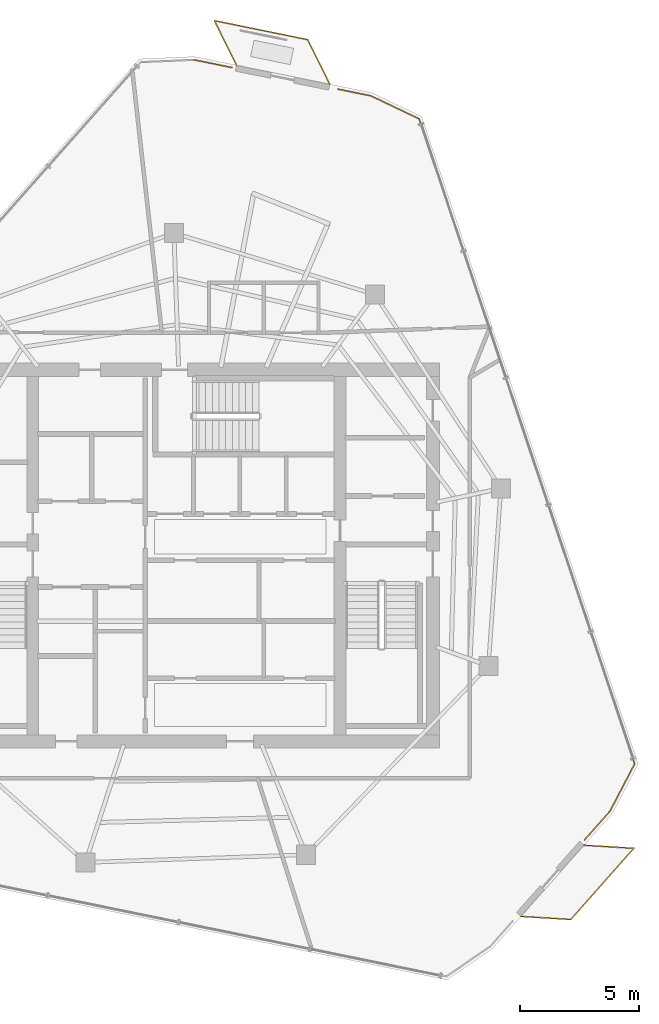
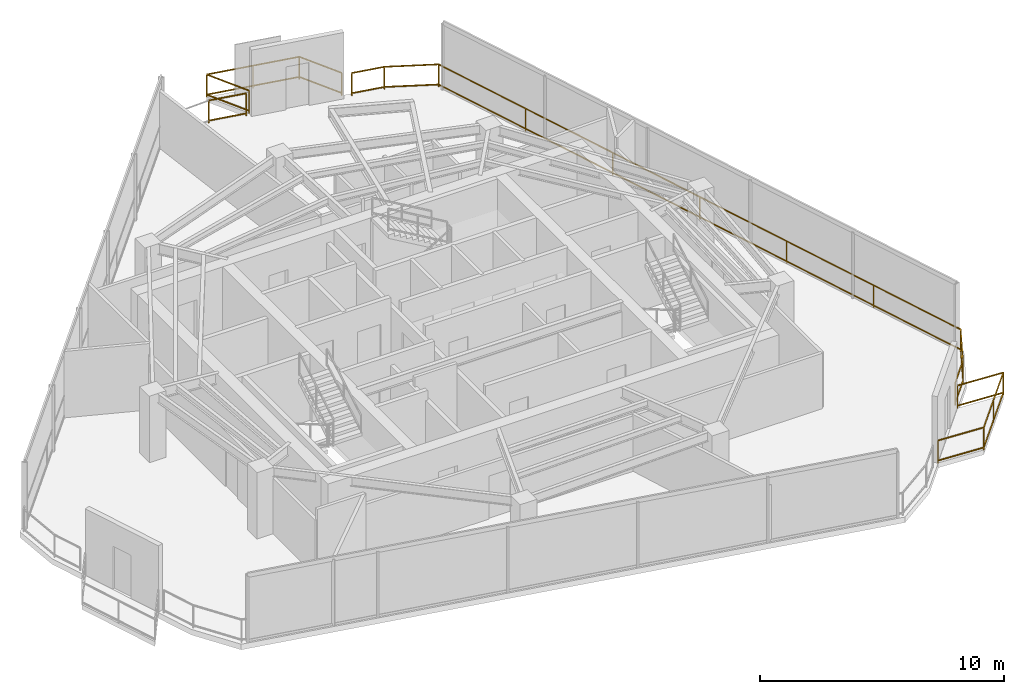
# One storey, part 18 of 18: 4 railings.
"""IFC4 building model written with IfcOpenShell, lengths in metres."""

from ifc_helpers import new_model, si_unit, direction, frame, origin, origin_2d, place, context, subcontext, project, spatial, rectangle, extrude, material, type_object, element, save


model = new_model("IFC4")

# Units and contexts
model_context = context("Model", 3, precision=1e-05, world=origin(), true_north=direction((0.0, 1.0)))
body_context = subcontext(model_context, "Body", "Model", "MODEL_VIEW")
ifc_project = project(units=[si_unit("LENGTHUNIT", "METRE"), si_unit("AREAUNIT", "SQUARE_METRE"), si_unit("VOLUMEUNIT", "CUBIC_METRE"), si_unit("PLANEANGLEUNIT", "RADIAN"), si_unit("MASSUNIT", "GRAM", prefix="KILO")], contexts=[model_context])

# Site, building, storey
site_placement = place(None, origin())
site = spatial("IfcSite", under=ifc_project, at=site_placement, CompositionType="ELEMENT")
building_placement = place(site_placement, origin())
building = spatial("IfcBuilding", under=site, at=building_placement, Name="Qarnah Convention Tower", CompositionType="ELEMENT")
storey_placement = place(building_placement, frame((0.0, 0.0, 249.89990234375)))
storey = spatial("IfcBuildingStorey", under=building, at=storey_placement, Name="L67", CompositionType="ELEMENT", Elevation=249.89990234375)

# Railings
ifc_material = material(Name="Black anodised aluminium", Category="aluminium")
railing_type = type_object("IfcRailingType", Name="RL-EXT-GUARD-1150", PredefinedType="GUARDRAIL", material=ifc_material)
railing_1_placement = place(storey_placement, frame((37.572998046875, 47.214111328125, 0.0)))
element("IfcRailing", 1, at=railing_1_placement, inside=storey, type_object=railing_type, Name="L67 slab-edge perimeter safety guard 01", PredefinedType="GUARDRAIL", context=body_context, shape_type="SweptSolid", body=[
    extrude(rectangle(XDim=0.048095703125, YDim=0.048095703125, at=origin_2d()), frame((0.0, 0.0, 1.1259765625), z_axis=(0.979860144989, -0.199684992579, 0.0), x_axis=(0.199684992579, 0.979860144989, 0.0)), (0.0, 0.0, 1.0), 1.617431640625),
    extrude(rectangle(XDim=0.048095703125, YDim=0.048095703125, at=origin_2d()), frame((0.0, 0.0, 0.1201171875), z_axis=(0.979860144989, -0.199684992579, 0.0), x_axis=(0.199684992579, 0.979860144989, 0.0)), (0.0, 0.0, 1.0), 1.617431640625),
    extrude(rectangle(XDim=0.0419921875, YDim=0.0419921875, at=origin_2d()), origin(), (0.0, 0.0, 1.0), 1.101806640625),
    extrude(rectangle(XDim=0.0419921875, YDim=0.0419921875, at=origin_2d()), frame((1.5849609375, -0.322998046875, 0.0)), (0.0, 0.0, 1.0), 1.101806640625),
])
railing_2_placement = place(storey_placement, frame((43.625, 45.98095703125, 0.0)))
element("IfcRailing", 2, at=railing_2_placement, inside=storey, type_object=railing_type, Name="L67 slab-edge perimeter safety guard 02", PredefinedType="GUARDRAIL", context=body_context, shape_type="SweptSolid", body=[
    extrude(rectangle(XDim=0.048095703125, YDim=0.048095703125, at=origin_2d()), frame((0.0, 0.0, 1.1259765625), z_axis=(0.979832508863, -0.199820555936, 0.0), x_axis=(0.199820555936, 0.979832508863, 0.0)), (0.0, 0.0, 1.0), 1.40625),
    extrude(rectangle(XDim=0.048095703125, YDim=0.048095703125, at=origin_2d()), frame((0.0, 0.0, 0.1201171875), z_axis=(0.979832508863, -0.199820555936, 0.0), x_axis=(0.199820555936, 0.979832508863, 0.0)), (0.0, 0.0, 1.0), 1.40625),
    extrude(rectangle(XDim=0.048095703125, YDim=0.048095703125, at=origin_2d()), frame((1.3779296875, -0.281005859375, 1.1259765625), z_axis=(0.902448225173, -0.430798329712, 0.0), x_axis=(0.430798329712, 0.902448225173, 0.0)), (0.0, 0.0, 1.0), 2.235107421875),
    extrude(rectangle(XDim=0.048095703125, YDim=0.048095703125, at=origin_2d()), frame((1.3779296875, -0.281005859375, 0.1201171875), z_axis=(0.902448225173, -0.430798329712, 0.0), x_axis=(0.430798329712, 0.902448225173, 0.0)), (0.0, 0.0, 1.0), 2.235107421875),
    extrude(rectangle(XDim=0.048095703125, YDim=0.048095703125, at=origin_2d()), frame((3.39501953125, -1.243896484375, 1.1259765625), z_axis=(0.316974002286, -0.948434226436, 0.0), x_axis=(0.948434226436, 0.316974002286, 0.0)), (0.0, 0.0, 1.0), 28.5576171875),
    extrude(rectangle(XDim=0.048095703125, YDim=0.048095703125, at=origin_2d()), frame((3.39501953125, -1.243896484375, 0.1201171875), z_axis=(0.316974002286, -0.948434226436, 0.0), x_axis=(0.948434226436, 0.316974002286, 0.0)), (0.0, 0.0, 1.0), 28.5576171875),
    extrude(rectangle(XDim=0.048095703125, YDim=0.048095703125, at=origin_2d()), frame((12.447021484375, -28.328857421875, 1.1259765625), z_axis=(-0.462136675075, -0.886808713055, 0.0), x_axis=(0.886808713055, -0.462136675075, 0.0)), (0.0, 0.0, 1.0), 2.235107421875),
    extrude(rectangle(XDim=0.048095703125, YDim=0.048095703125, at=origin_2d()), frame((12.447021484375, -28.328857421875, 0.1201171875), z_axis=(-0.462136675075, -0.886808713055, 0.0), x_axis=(0.886808713055, -0.462136675075, 0.0)), (0.0, 0.0, 1.0), 2.235107421875),
    extrude(rectangle(XDim=0.048095703125, YDim=0.048095703125, at=origin_2d()), frame((11.4140625, -30.31103515625, 1.1259765625), z_axis=(-0.663192271261, -0.748449070638, 0.0), x_axis=(0.748449070638, -0.663192271261, 0.0)), (0.0, 0.0, 1.0), 1.617919921875),
    extrude(rectangle(XDim=0.048095703125, YDim=0.048095703125, at=origin_2d()), frame((11.4140625, -30.31103515625, 0.1201171875), z_axis=(-0.663192271261, -0.748449070638, 0.0), x_axis=(0.748449070638, -0.663192271261, 0.0)), (0.0, 0.0, 1.0), 1.617919921875),
    extrude(rectangle(XDim=0.0419921875, YDim=0.0419921875, at=origin_2d()), origin(), (0.0, 0.0, 1.0), 1.101806640625),
    extrude(rectangle(XDim=0.0419921875, YDim=0.0419921875, at=origin_2d()), frame((1.3779296875, -0.281005859375, 0.0)), (0.0, 0.0, 1.0), 1.101806640625),
    extrude(rectangle(XDim=0.0419921875, YDim=0.0419921875, at=origin_2d()), frame((3.39501953125, -1.243896484375, 0.0)), (0.0, 0.0, 1.0), 1.101806640625),
    extrude(rectangle(XDim=0.0419921875, YDim=0.0419921875, at=origin_2d()), frame((4.90380859375, -5.758056640625, 0.0)), (0.0, 0.0, 1.0), 1.101806640625),
    extrude(rectangle(XDim=0.0419921875, YDim=0.0419921875, at=origin_2d()), frame((6.412353515625, -10.272216796875, 0.0)), (0.0, 0.0, 1.0), 1.101806640625),
    extrude(rectangle(XDim=0.0419921875, YDim=0.0419921875, at=origin_2d()), frame((7.9208984375, -14.786376953125, 0.0)), (0.0, 0.0, 1.0), 1.101806640625),
    extrude(rectangle(XDim=0.0419921875, YDim=0.0419921875, at=origin_2d()), frame((9.4296875, -19.300537109375, 0.0)), (0.0, 0.0, 1.0), 1.101806640625),
    extrude(rectangle(XDim=0.0419921875, YDim=0.0419921875, at=origin_2d()), frame((10.9384765625, -23.814697265625, 0.0)), (0.0, 0.0, 1.0), 1.101806640625),
    extrude(rectangle(XDim=0.0419921875, YDim=0.0419921875, at=origin_2d()), frame((12.447021484375, -28.328857421875, 0.0)), (0.0, 0.0, 1.0), 1.101806640625),
    extrude(rectangle(XDim=0.0419921875, YDim=0.0419921875, at=origin_2d()), frame((11.4140625, -30.31103515625, 0.0)), (0.0, 0.0, 1.0), 1.101806640625),
    extrude(rectangle(XDim=0.0419921875, YDim=0.0419921875, at=origin_2d()), frame((10.341064453125, -31.52197265625, 0.0)), (0.0, 0.0, 1.0), 1.101806640625),
])
railing_3_placement = place(storey_placement, frame((39.35498046875, 46.989013671875, 0.0)))
element("IfcRailing", 3, at=railing_3_placement, inside=storey, type_object=railing_type, Name="L67 balcony safety guard BAL-L67-C1", PredefinedType="GUARDRAIL", context=body_context, shape_type="SweptSolid", body=[
    extrude(rectangle(XDim=0.048095703125, YDim=0.048095703125, at=origin_2d()), frame((0.0, 0.0, 1.1259765625), z_axis=(-0.445626782868, 0.895218839386, 0.0), x_axis=(-0.895218839386, -0.445626782868, 0.0)), (0.0, 0.0, 1.0), 2.09326171875),
    extrude(rectangle(XDim=0.048095703125, YDim=0.048095703125, at=origin_2d()), frame((0.0, 0.0, 0.1201171875), z_axis=(-0.445626782868, 0.895218839386, 0.0), x_axis=(-0.895218839386, -0.445626782868, 0.0)), (0.0, 0.0, 1.0), 2.09326171875),
    extrude(rectangle(XDim=0.048095703125, YDim=0.048095703125, at=origin_2d()), frame((-0.932861328125, 1.8740234375, 1.1259765625), z_axis=(0.979838945661, -0.199788990104, 0.0), x_axis=(0.199788990104, 0.979838945661, 0.0)), (0.0, 0.0, 1.0), 3.99951171875),
    extrude(rectangle(XDim=0.048095703125, YDim=0.048095703125, at=origin_2d()), frame((-0.932861328125, 1.8740234375, 0.1201171875), z_axis=(0.979838945661, -0.199788990104, 0.0), x_axis=(0.199788990104, 0.979838945661, 0.0)), (0.0, 0.0, 1.0), 3.99951171875),
    extrude(rectangle(XDim=0.048095703125, YDim=0.048095703125, at=origin_2d()), frame((2.986083984375, 1.074951171875, 1.1259765625), z_axis=(0.446000529439, -0.895032696464, 0.0), x_axis=(0.895032696464, 0.446000529439, 0.0)), (0.0, 0.0, 1.0), 2.09375),
    extrude(rectangle(XDim=0.048095703125, YDim=0.048095703125, at=origin_2d()), frame((2.986083984375, 1.074951171875, 0.1201171875), z_axis=(0.446000529439, -0.895032696464, 0.0), x_axis=(0.895032696464, 0.446000529439, 0.0)), (0.0, 0.0, 1.0), 2.09375),
    extrude(rectangle(XDim=0.0419921875, YDim=0.0419921875, at=origin_2d()), origin(), (0.0, 0.0, 1.0), 1.101806640625),
    extrude(rectangle(XDim=0.0419921875, YDim=0.0419921875, at=origin_2d()), frame((-0.932861328125, 1.8740234375, 0.0)), (0.0, 0.0, 1.0), 1.101806640625),
    extrude(rectangle(XDim=0.0419921875, YDim=0.0419921875, at=origin_2d()), frame((1.026611328125, 1.474609375, 0.0)), (0.0, 0.0, 1.0), 1.101806640625),
    extrude(rectangle(XDim=0.0419921875, YDim=0.0419921875, at=origin_2d()), frame((2.986083984375, 1.074951171875, 0.0)), (0.0, 0.0, 1.0), 1.101806640625),
    extrude(rectangle(XDim=0.0419921875, YDim=0.0419921875, at=origin_2d()), frame((3.919921875, -0.799072265625, 0.0)), (0.0, 0.0, 1.0), 1.101806640625),
])
railing_4_placement = place(storey_placement, frame((53.952880859375, 14.239013671875, 0.0)))
element("IfcRailing", 4, at=railing_4_placement, inside=storey, type_object=railing_type, Name="L67 balcony safety guard BAL-L67-C3", PredefinedType="GUARDRAIL", context=body_context, shape_type="SweptSolid", body=[
    extrude(rectangle(XDim=0.048095703125, YDim=0.048095703125, at=origin_2d()), frame((0.0, 0.0, 1.1259765625), z_axis=(0.998103503569, -0.061558071473, 0.0), x_axis=(0.061558071473, 0.998103503569, 0.0)), (0.0, 0.0, 1.0), 2.093994140625),
    extrude(rectangle(XDim=0.048095703125, YDim=0.048095703125, at=origin_2d()), frame((0.0, 0.0, 0.1201171875), z_axis=(0.998103503569, -0.061558071473, 0.0), x_axis=(0.061558071473, 0.998103503569, 0.0)), (0.0, 0.0, 1.0), 2.093994140625),
    extrude(rectangle(XDim=0.048095703125, YDim=0.048095703125, at=origin_2d()), frame((2.090087890625, -0.12890625, 1.1259765625), z_axis=(-0.663021562738, -0.748600298787, 0.0), x_axis=(0.748600298787, -0.663021562738, 0.0)), (0.0, 0.0, 1.0), 3.999755859375),
    extrude(rectangle(XDim=0.048095703125, YDim=0.048095703125, at=origin_2d()), frame((2.090087890625, -0.12890625, 0.1201171875), z_axis=(-0.663021562738, -0.748600298787, 0.0), x_axis=(0.748600298787, -0.663021562738, 0.0)), (0.0, 0.0, 1.0), 3.999755859375),
    extrude(rectangle(XDim=0.048095703125, YDim=0.048095703125, at=origin_2d()), frame((-0.561767578125, -3.123046875, 1.1259765625), z_axis=(-0.998132049362, 0.061093469672, 0.0), x_axis=(-0.061093469672, -0.998132049362, 0.0)), (0.0, 0.0, 1.0), 2.093994140625),
    extrude(rectangle(XDim=0.048095703125, YDim=0.048095703125, at=origin_2d()), frame((-0.561767578125, -3.123046875, 0.1201171875), z_axis=(-0.998132049362, 0.061093469672, 0.0), x_axis=(-0.061093469672, -0.998132049362, 0.0)), (0.0, 0.0, 1.0), 2.093994140625),
    extrude(rectangle(XDim=0.0419921875, YDim=0.0419921875, at=origin_2d()), origin(), (0.0, 0.0, 1.0), 1.101806640625),
    extrude(rectangle(XDim=0.0419921875, YDim=0.0419921875, at=origin_2d()), frame((2.090087890625, -0.12890625, 0.0)), (0.0, 0.0, 1.0), 1.101806640625),
    extrude(rectangle(XDim=0.0419921875, YDim=0.0419921875, at=origin_2d()), frame((0.76416015625, -1.6259765625, 0.0)), (0.0, 0.0, 1.0), 1.101806640625),
    extrude(rectangle(XDim=0.0419921875, YDim=0.0419921875, at=origin_2d()), frame((-0.561767578125, -3.123046875, 0.0)), (0.0, 0.0, 1.0), 1.101806640625),
    extrude(rectangle(XDim=0.0419921875, YDim=0.0419921875, at=origin_2d()), frame((-2.65185546875, -2.9951171875, 0.0)), (0.0, 0.0, 1.0), 1.101806640625),
])

save(model, "model.ifc")
